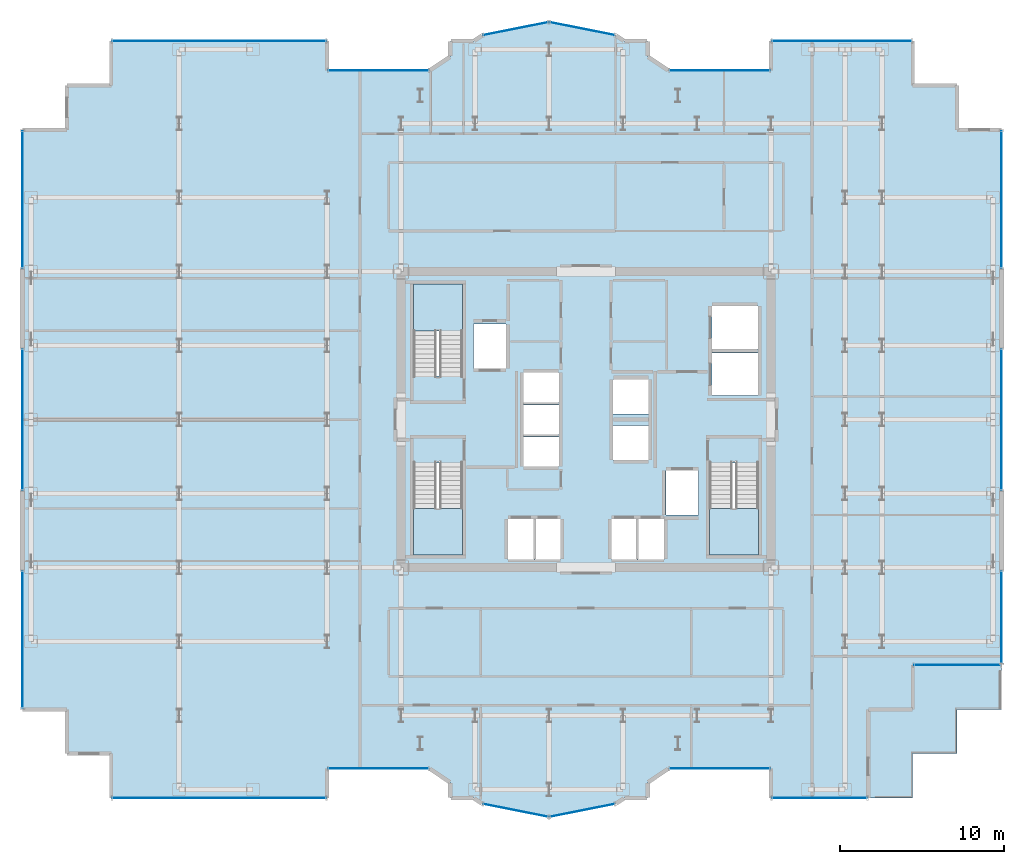
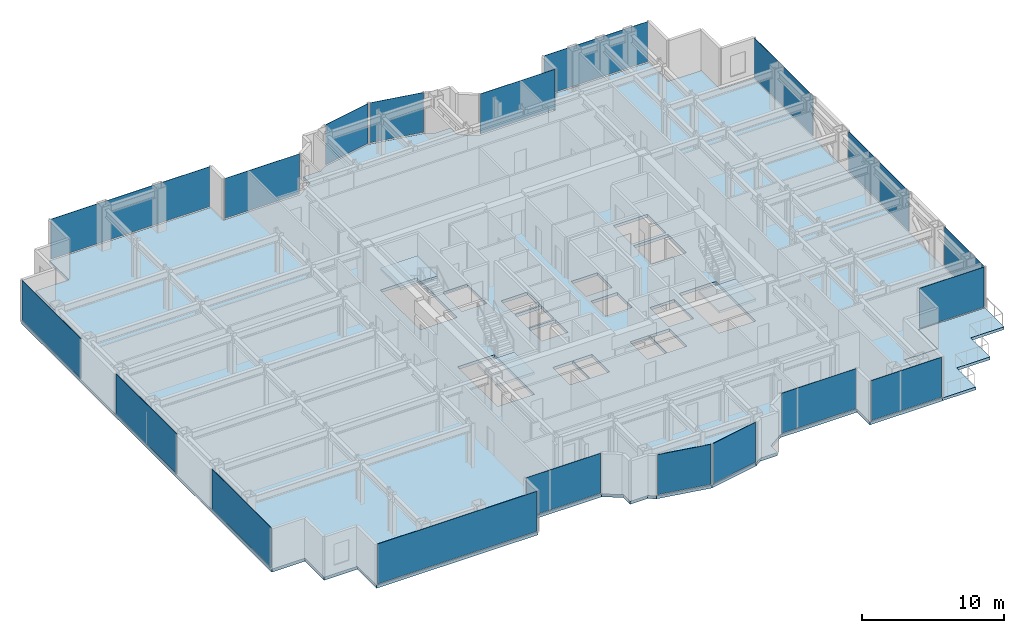
# One storey, part 19 of 27: 19 plates, 5 slabs, 22 elements without a shape of their own.
"""IFC4 building model written with IfcOpenShell, lengths in metres."""

from ifc_helpers import new_model, si_unit, direction, frame, origin, origin_2d, place, context, subcontext, project, spatial, polyline, rectangle, outline, extrude, source, transform, mapped, material, layer, layer_set, type_object, element, aggregate, save


model = new_model("IFC4")

# Units and contexts
model_context = context("Model", 3, precision=1e-05, world=origin(), true_north=direction((0.0, 1.0)))
body_context = subcontext(model_context, "Body", "Model", "MODEL_VIEW")
ifc_project = project(units=[si_unit("LENGTHUNIT", "METRE"), si_unit("AREAUNIT", "SQUARE_METRE"), si_unit("VOLUMEUNIT", "CUBIC_METRE"), si_unit("PLANEANGLEUNIT", "RADIAN"), si_unit("MASSUNIT", "GRAM", prefix="KILO")], contexts=[model_context])

# Site, building, storey
site_placement = place(None, origin())
site = spatial("IfcSite", under=ifc_project, at=site_placement, CompositionType="ELEMENT")
building_placement = place(site_placement, origin())
building = spatial("IfcBuilding", under=site, at=building_placement, Name="Nefas-Gora Pilgrimage Tower", CompositionType="ELEMENT")
storey_placement = place(building_placement, frame((0.0, 0.0, 183.0)))
storey = spatial("IfcBuildingStorey", under=building, at=storey_placement, Name="L45", CompositionType="ELEMENT", Elevation=183.0)

# Slabs
ifc_material_1 = material(Name="Concrete C40/50", Category="concrete")
ifc_layer_1 = layer(ifc_material_1, 0.239990234375)
ifc_layer_set_1 = layer_set([ifc_layer_1], Name="Concrete C40/50")
slab_type_1 = type_object("IfcSlabType", Name="SLB-TER-SP-SE", PredefinedType="FLOOR", material=ifc_layer_set_1)
slab_1_placement = place(storey_placement, frame((0.0, 0.0, -0.239990234375)))
element("IfcSlab", 1, at=slab_1_placement, inside=storey, type_object=slab_type_1, Name="L45 Outdoor Sky Terrace Slab TER-SP-SE", PredefinedType="FLOOR", context=body_context, shape_type="SweptSolid", body=[
    extrude(outline(polyline([(25.27001953125, -17.6201171875), (25.27001953125, -14.919921875), (19.8701171875, -14.919921875), (19.8701171875, -17.6201171875), (17.169921875, -17.6201171875), (17.169921875, -23.02001953125), (19.8701171875, -23.02001953125), (19.8701171875, -20.320068359375), (22.570068359375, -20.320068359375), (22.570068359375, -17.6201171875), (25.27001953125, -17.6201171875)])), origin(), (0.0, 0.0, 1.0), 0.239990234375),
])
ifc_layer_2 = layer(ifc_material_1, 0.25)
ifc_layer_set_2 = layer_set([ifc_layer_2], Name="Concrete C40/50")
slab_type_2 = type_object("IfcSlabType", Name="SLB-TWR-250", PredefinedType="FLOOR", material=ifc_layer_set_2)
slab_2_placement = place(storey_placement, frame((0.0, 0.0, -0.25)))
element("IfcSlab", 2, at=slab_2_placement, inside=storey, type_object=slab_type_2, Name="L45 Structural Floor Slab", PredefinedType="FLOOR", context=body_context, shape_type="SweptSolid", body=[
    extrude(outline(polyline([(5.01806640625, -21.219970703125), (11.25, -21.219970703125), (11.25, -23.02001953125), (17.169921875, -23.02001953125), (17.169921875, -17.6201171875), (19.8701171875, -17.6201171875), (19.8701171875, -14.919921875), (25.27001953125, -14.919921875), (25.27001953125, 17.6201171875), (22.570068359375, 17.6201171875), (22.570068359375, 20.320068359375), (19.8701171875, 20.320068359375), (19.8701171875, 23.02001953125), (11.25, 23.02001953125), (11.25, 21.219970703125), (5.01806640625, 21.219970703125), (3.75, 22.0673828125), (3.75, 23.02001953125), (2.32421875, 23.02001953125), (1.807373046875, 23.365234375), (-2.25, 24.17236328125), (-6.307373046875, 23.365234375), (-6.82421875, 23.02001953125), (-8.25, 23.02001953125), (-8.25, 22.0673828125), (-9.51806640625, 21.219970703125), (-15.75, 21.219970703125), (-15.75, 23.02001953125), (-28.8701171875, 23.02001953125), (-28.8701171875, 20.320068359375), (-31.570068359375, 20.320068359375), (-31.570068359375, 17.6201171875), (-34.27001953125, 17.6201171875), (-34.27001953125, -17.6201171875), (-31.570068359375, -17.6201171875), (-31.570068359375, -20.320068359375), (-28.8701171875, -20.320068359375), (-28.8701171875, -23.02001953125), (-15.75, -23.02001953125), (-15.75, -21.219970703125), (-9.51806640625, -21.219970703125), (-8.25, -22.0673828125), (-8.25, -23.02001953125), (-6.82421875, -23.02001953125), (-6.307373046875, -23.365234375), (-2.25, -24.17236328125), (1.807373046875, -23.365234375), (2.32421875, -23.02001953125), (3.75, -23.02001953125), (3.75, -22.0673828125), (5.01806640625, -21.219970703125)]), holes=[polyline([(-10.5, 2.639892578125), (-10.5, 8.25), (-7.5, 8.25), (-7.5, 2.639892578125), (-10.5, 2.639892578125)]), polyline([(10.5, -2.639892578125), (10.5, -8.25), (7.5, -8.25), (7.5, -2.639892578125), (10.5, -2.639892578125)]), polyline([(-7.5, -2.639892578125), (-7.5, -8.25), (-10.5, -8.25), (-10.5, -2.639892578125), (-7.5, -2.639892578125)]), polyline([(-6.85009765625, 5.800048828125), (-4.85009765625, 5.800048828125), (-4.85009765625, 3.10009765625), (-6.85009765625, 3.10009765625), (-6.85009765625, 5.800048828125)]), polyline([(4.85009765625, -3.10009765625), (6.85009765625, -3.10009765625), (6.85009765625, -5.800048828125), (4.85009765625, -5.800048828125), (4.85009765625, -3.10009765625)]), polyline([(7.64990234375, 4.050048828125), (10.449951171875, 4.050048828125), (10.449951171875, 1.449951171875), (7.64990234375, 1.449951171875), (7.64990234375, 4.050048828125)]), polyline([(7.64990234375, 6.89990234375), (10.449951171875, 6.89990234375), (10.449951171875, 4.300048828125), (7.64990234375, 4.300048828125), (7.64990234375, 6.89990234375)]), polyline([(-4.75, -6.050048828125), (-3.14990234375, -6.050048828125), (-3.14990234375, -8.5), (-4.75, -8.5), (-4.75, -6.050048828125)]), polyline([(-3.10009765625, -6.050048828125), (-1.550048828125, -6.050048828125), (-1.550048828125, -8.5), (-3.10009765625, -8.5), (-3.10009765625, -6.050048828125)]), polyline([(1.550048828125, -6.050048828125), (3.10009765625, -6.050048828125), (3.10009765625, -8.5), (1.550048828125, -8.5), (1.550048828125, -6.050048828125)]), polyline([(3.14990234375, -6.050048828125), (4.75, -6.050048828125), (4.75, -8.5), (3.14990234375, -8.5), (3.14990234375, -6.050048828125)]), polyline([(-3.800048828125, -1.050048828125), (-1.64990234375, -1.050048828125), (-1.64990234375, -2.85009765625), (-3.800048828125, -2.85009765625), (-3.800048828125, -1.050048828125)]), polyline([(-3.800048828125, 0.89990234375), (-1.64990234375, 0.89990234375), (-1.64990234375, -0.89990234375), (-3.800048828125, -0.89990234375), (-3.800048828125, 0.89990234375)]), polyline([(-3.800048828125, 2.85009765625), (-1.64990234375, 2.85009765625), (-1.64990234375, 1.050048828125), (-3.800048828125, 1.050048828125), (-3.800048828125, 2.85009765625)]), polyline([(1.64990234375, -0.35009765625), (3.800048828125, -0.35009765625), (3.800048828125, -2.449951171875), (1.64990234375, -2.449951171875), (1.64990234375, -0.35009765625)]), polyline([(1.64990234375, 2.449951171875), (3.800048828125, 2.449951171875), (3.800048828125, 0.35009765625), (1.64990234375, 0.35009765625), (1.64990234375, 2.449951171875)])]), origin(), (0.0, 0.0, 1.0), 0.25),
])

# Stair, slab
ifc_material_2 = material(Name="Concrete C45/55", Category="concrete")
stair_type = type_object("IfcStairType", Name="STR-1400-R1727", PredefinedType="HALF_TURN_STAIR", material=ifc_material_2)
stair_1_placement = place(storey_placement, origin())
stair_1 = element("IfcStair", 3, at=stair_1_placement, inside=storey, type_object=stair_type, Name="L45 Pressurised Tower Exit Stair ST-01", PredefinedType="HALF_TURN_STAIR")
ifc_layer_3 = layer(ifc_material_1, 0.199951171875)
ifc_layer_set_3 = layer_set([ifc_layer_3], Name="Concrete C40/50")
slab_type_3 = type_object("IfcSlabType", Name="STR-LAND-200", PredefinedType="LANDING", material=ifc_layer_set_3)
slab_3_placement = place(storey_placement, frame((0.0, 0.0, 1.699951171875)))
slab_3 = element("IfcSlab", 4, at=slab_3_placement, type_object=slab_type_3, Name="ST-01 landing 1", PredefinedType="LANDING", context=body_context, shape_type="SweptSolid", body=[
    extrude(outline(polyline([(-7.5, 5.39990234375), (-7.5, 8.25), (-10.5, 8.25), (-10.5, 5.39990234375), (-7.5, 5.39990234375)])), origin(), (0.0, 0.0, 1.0), 0.199951171875),
])
aggregate(stair_1, [slab_3])

stair_2_placement = place(storey_placement, origin())
stair_2 = element("IfcStair", 5, at=stair_2_placement, inside=storey, type_object=stair_type, Name="L45 Pressurised Tower Exit Stair ST-02", PredefinedType="HALF_TURN_STAIR")
slab_4_placement = place(storey_placement, frame((0.0, 0.0, 1.699951171875)))
slab_4 = element("IfcSlab", 6, at=slab_4_placement, type_object=slab_type_3, Name="ST-02 landing 1", PredefinedType="LANDING", context=body_context, shape_type="SweptSolid", body=[
    extrude(outline(polyline([(7.5, -5.39990234375), (7.5, -8.25), (10.5, -8.25), (10.5, -5.39990234375), (7.5, -5.39990234375)])), origin(), (0.0, 0.0, 1.0), 0.199951171875),
])
aggregate(stair_2, [slab_4])

stair_3_placement = place(storey_placement, origin())
stair_3 = element("IfcStair", 7, at=stair_3_placement, inside=storey, type_object=stair_type, Name="L45 Pressurised Tower Exit Stair ST-03", PredefinedType="HALF_TURN_STAIR")
slab_5_placement = place(storey_placement, frame((0.0, 0.0, 1.699951171875)))
slab_5 = element("IfcSlab", 8, at=slab_5_placement, type_object=slab_type_3, Name="ST-03 landing 1", PredefinedType="LANDING", context=body_context, shape_type="SweptSolid", body=[
    extrude(outline(polyline([(-10.5, -5.39990234375), (-10.5, -8.25), (-7.5, -8.25), (-7.5, -5.39990234375), (-10.5, -5.39990234375)])), origin(), (0.0, 0.0, 1.0), 0.199951171875),
])
aggregate(stair_3, [slab_5])

# Curtain wall, plate
ifc_material_3 = material(Name="Dark ceramic-fritted solar-control aluminium-glass curtain wall", Category="aluminium")
ifc_layer_4 = layer(ifc_material_3, 0.219970703125)
ifc_layer_set_4 = layer_set([ifc_layer_4], Name="Dark ceramic-fritted solar-control aluminium-glass curtain wall")
curtain_wall_type_1 = type_object("IfcCurtainWallType", Name="CW-SYS-5", PredefinedType="NOTDEFINED", material=ifc_layer_set_4)
curtain_wall_1_placement = place(storey_placement, origin())
curtain_wall_1 = element("IfcCurtainWall", 9, at=curtain_wall_1_placement, inside=storey, type_object=curtain_wall_type_1, Name="L45 Unitised Curtain Wall CW5", PredefinedType="NOTDEFINED")
ifc_material_4 = material(Name="Dark ceramic-printed low-e insulated glass", Category="glass")
ifc_layer_5 = layer(ifc_material_4, 0.028076171875)
ifc_layer_set_5 = layer_set([ifc_layer_5], Name="Dark ceramic-printed low-e insulated glass")
plate_type_1 = type_object("IfcPlateType", Name="CWP-PNL-5", PredefinedType="CURTAIN_PANEL", material=ifc_layer_set_5)
shared_shape_1 = source(origin(), body_context, "Body", "SweptSolid", [
    extrude(rectangle(XDim=6.052001953125, YDim=0.028076171875, at=origin_2d()), origin(), (0.0, 0.0, 1.0), 3.43994140625),
])
plate_1_placement = place(storey_placement, frame((8.134033203125, -21.219970703125, 0.10009765625), z_axis=(0.0, 0.0, 1.0), x_axis=(1.0, 0.0, 0.0)))
plate_1 = element("IfcPlate", 10, at=plate_1_placement, type_object=plate_type_1, Name="CW5 Ceramic-Fritted Glazing Panel 1", PredefinedType="CURTAIN_PANEL", context=body_context, shape_type="MappedRepresentation", body=[
    mapped(shared_shape_1, transform((0.0, 0.0, 0.0), x_axis=(1.0, 0.0, 0.0), y_axis=(0.0, 1.0, 0.0), z_axis=(0.0, 0.0, 1.0), scale=1.0)),
])
aggregate(curtain_wall_1, [plate_1])

curtain_wall_2_placement = place(storey_placement, origin())
curtain_wall_2 = element("IfcCurtainWall", 11, at=curtain_wall_2_placement, inside=storey, type_object=curtain_wall_type_1, Name="L45 Unitised Curtain Wall CW5", PredefinedType="NOTDEFINED")
plate_2_placement = place(storey_placement, frame((8.134033203125, 21.219970703125, 0.10009765625), z_axis=(0.0, 0.0, 1.0), x_axis=(-1.0, 0.0, 0.0)))
plate_2 = element("IfcPlate", 12, at=plate_2_placement, type_object=plate_type_1, Name="CW5 Ceramic-Fritted Glazing Panel 1", PredefinedType="CURTAIN_PANEL", context=body_context, shape_type="MappedRepresentation", body=[
    mapped(shared_shape_1, transform((0.0, 0.0, 0.0), x_axis=(1.0, 0.0, 0.0), y_axis=(0.0, 1.0, 0.0), z_axis=(0.0, 0.0, 1.0), scale=1.0)),
])
aggregate(curtain_wall_2, [plate_2])

curtain_wall_3_placement = place(storey_placement, origin())
curtain_wall_3 = element("IfcCurtainWall", 13, at=curtain_wall_3_placement, inside=storey, type_object=curtain_wall_type_1, Name="L45 Unitised Curtain Wall CW5", PredefinedType="NOTDEFINED")
plate_3_placement = place(storey_placement, frame((-12.634033203125, 21.219970703125, 0.10009765625), z_axis=(0.0, 0.0, 1.0), x_axis=(-1.0, 0.0, 0.0)))
plate_3 = element("IfcPlate", 14, at=plate_3_placement, type_object=plate_type_1, Name="CW5 Ceramic-Fritted Glazing Panel 1", PredefinedType="CURTAIN_PANEL", context=body_context, shape_type="MappedRepresentation", body=[
    mapped(shared_shape_1, transform((0.0, 0.0, 0.0), x_axis=(1.0, 0.0, 0.0), y_axis=(0.0, 1.0, 0.0), z_axis=(0.0, 0.0, 1.0), scale=1.0)),
])
aggregate(curtain_wall_3, [plate_3])

curtain_wall_4_placement = place(storey_placement, origin())
curtain_wall_4 = element("IfcCurtainWall", 15, at=curtain_wall_4_placement, inside=storey, type_object=curtain_wall_type_1, Name="L45 Unitised Curtain Wall CW5", PredefinedType="NOTDEFINED")
plate_4_placement = place(storey_placement, frame((-12.634033203125, -21.219970703125, 0.10009765625), z_axis=(0.0, 0.0, 1.0), x_axis=(1.0, 0.0, 0.0)))
plate_4 = element("IfcPlate", 16, at=plate_4_placement, type_object=plate_type_1, Name="CW5 Ceramic-Fritted Glazing Panel 1", PredefinedType="CURTAIN_PANEL", context=body_context, shape_type="MappedRepresentation", body=[
    mapped(shared_shape_1, transform((0.0, 0.0, 0.0), x_axis=(1.0, 0.0, 0.0), y_axis=(0.0, 1.0, 0.0), z_axis=(0.0, 0.0, 1.0), scale=1.0)),
])
aggregate(curtain_wall_4, [plate_4])

curtain_wall_5_placement = place(storey_placement, origin())
curtain_wall_5 = element("IfcCurtainWall", 17, at=curtain_wall_5_placement, inside=storey, type_object=curtain_wall_type_1, Name="L45 Unitised Curtain Wall CW5", PredefinedType="NOTDEFINED")
shared_shape_2 = source(origin(), body_context, "Body", "SweptSolid", [
    extrude(rectangle(XDim=3.956787109375, YDim=0.028076171875, at=origin_2d()), origin(), (0.0, 0.0, 1.0), 3.43994140625),
])
plate_5_placement = place(storey_placement, frame((-0.22119140625, 23.768798828125, 0.10009765625), z_axis=(0.0, 0.0, 1.0), x_axis=(-0.980782896852, 0.195102304554, 0.0)))
plate_5 = element("IfcPlate", 18, at=plate_5_placement, type_object=plate_type_1, Name="CW5 Ceramic-Fritted Glazing Panel 1", PredefinedType="CURTAIN_PANEL", context=body_context, shape_type="MappedRepresentation", body=[
    mapped(shared_shape_2, transform((0.0, 0.0, 0.0), x_axis=(1.0, 0.0, 0.0), y_axis=(0.0, 1.0, 0.0), z_axis=(0.0, 0.0, 1.0), scale=1.0)),
])
aggregate(curtain_wall_5, [plate_5])

curtain_wall_6_placement = place(storey_placement, origin())
curtain_wall_6 = element("IfcCurtainWall", 19, at=curtain_wall_6_placement, inside=storey, type_object=curtain_wall_type_1, Name="L45 Unitised Curtain Wall CW5", PredefinedType="NOTDEFINED")
plate_6_placement = place(storey_placement, frame((-4.278564453125, 23.768798828125, 0.10009765625), z_axis=(0.0, 0.0, 1.0), x_axis=(-0.980782896852, -0.195102304554, 0.0)))
plate_6 = element("IfcPlate", 20, at=plate_6_placement, type_object=plate_type_1, Name="CW5 Ceramic-Fritted Glazing Panel 1", PredefinedType="CURTAIN_PANEL", context=body_context, shape_type="MappedRepresentation", body=[
    mapped(shared_shape_2, transform((0.0, 0.0, 0.0), x_axis=(1.0, 0.0, 0.0), y_axis=(0.0, 1.0, 0.0), z_axis=(0.0, 0.0, 1.0), scale=1.0)),
])
aggregate(curtain_wall_6, [plate_6])

curtain_wall_7_placement = place(storey_placement, origin())
curtain_wall_7 = element("IfcCurtainWall", 21, at=curtain_wall_7_placement, inside=storey, type_object=curtain_wall_type_1, Name="L45 Unitised Curtain Wall CW5", PredefinedType="NOTDEFINED")
plate_7_placement = place(storey_placement, frame((-4.278564453125, -23.768798828125, 0.10009765625), z_axis=(0.0, 0.0, 1.0), x_axis=(0.980782896852, -0.195102304554, 0.0)))
plate_7 = element("IfcPlate", 22, at=plate_7_placement, type_object=plate_type_1, Name="CW5 Ceramic-Fritted Glazing Panel 1", PredefinedType="CURTAIN_PANEL", context=body_context, shape_type="MappedRepresentation", body=[
    mapped(shared_shape_2, transform((0.0, 0.0, 0.0), x_axis=(1.0, 0.0, 0.0), y_axis=(0.0, 1.0, 0.0), z_axis=(0.0, 0.0, 1.0), scale=1.0)),
])
aggregate(curtain_wall_7, [plate_7])

curtain_wall_8_placement = place(storey_placement, origin())
curtain_wall_8 = element("IfcCurtainWall", 23, at=curtain_wall_8_placement, inside=storey, type_object=curtain_wall_type_1, Name="L45 Unitised Curtain Wall CW5", PredefinedType="NOTDEFINED")
plate_8_placement = place(storey_placement, frame((-0.221435546875, -23.768798828125, 0.10009765625), z_axis=(0.0, 0.0, 1.0), x_axis=(0.980782896852, 0.195102304554, 0.0)))
plate_8 = element("IfcPlate", 24, at=plate_8_placement, type_object=plate_type_1, Name="CW5 Ceramic-Fritted Glazing Panel 1", PredefinedType="CURTAIN_PANEL", context=body_context, shape_type="MappedRepresentation", body=[
    mapped(shared_shape_2, transform((0.0, 0.0, 0.0), x_axis=(1.0, 0.0, 0.0), y_axis=(0.0, 1.0, 0.0), z_axis=(0.0, 0.0, 1.0), scale=1.0)),
])
aggregate(curtain_wall_8, [plate_8])

ifc_layer_6 = layer(ifc_material_3, 0.219970703125)
ifc_layer_set_6 = layer_set([ifc_layer_6], Name="Dark ceramic-fritted solar-control aluminium-glass curtain wall")
curtain_wall_type_2 = type_object("IfcCurtainWallType", Name="CW-SYS-3", PredefinedType="NOTDEFINED", material=ifc_layer_set_6)
curtain_wall_9_placement = place(storey_placement, origin())
curtain_wall_9 = element("IfcCurtainWall", 25, at=curtain_wall_9_placement, inside=storey, type_object=curtain_wall_type_2, Name="L45 Unitised Curtain Wall CW3", PredefinedType="NOTDEFINED")
ifc_layer_7 = layer(ifc_material_4, 0.033935546875)
ifc_layer_set_7 = layer_set([ifc_layer_7], Name="Dark ceramic-printed low-e insulated glass")
plate_type_2 = type_object("IfcPlateType", Name="CWP-PNL-3", PredefinedType="CURTAIN_PANEL", material=ifc_layer_set_7)
shared_shape_3 = source(origin(), body_context, "Body", "SweptSolid", [
    extrude(rectangle(XDim=8.43994140625, YDim=0.033935546875, at=origin_2d()), origin(), (0.0, 0.0, 1.0), 3.43994140625),
])
plate_9_placement = place(storey_placement, frame((15.56005859375, 23.02001953125, 0.10009765625), z_axis=(0.0, 0.0, 1.0), x_axis=(-1.0, 0.0, 0.0)))
plate_9 = element("IfcPlate", 26, at=plate_9_placement, type_object=plate_type_2, Name="CW3 Ceramic-Fritted Glazing Panel 1", PredefinedType="CURTAIN_PANEL", context=body_context, shape_type="MappedRepresentation", body=[
    mapped(shared_shape_3, transform((0.0, 0.0, 0.0), x_axis=(1.0, 0.0, 0.0), y_axis=(0.0, 1.0, 0.0), z_axis=(0.0, 0.0, 1.0), scale=1.0)),
])
aggregate(curtain_wall_9, [plate_9])

curtain_wall_10_placement = place(storey_placement, origin())
curtain_wall_10 = element("IfcCurtainWall", 27, at=curtain_wall_10_placement, inside=storey, type_object=curtain_wall_type_2, Name="L45 Unitised Curtain Wall CW3", PredefinedType="NOTDEFINED")
shared_shape_4 = source(origin(), body_context, "Body", "SweptSolid", [
    extrude(rectangle(XDim=8.2900390625, YDim=0.033935546875, at=origin_2d()), origin(), (0.0, 0.0, 1.0), 3.43994140625),
])
plate_10_placement = place(storey_placement, frame((25.27001953125, 13.385009765625, 0.10009765625), z_axis=(0.0, 0.0, 1.0), x_axis=(0.0, 1.0, 0.0)))
plate_10 = element("IfcPlate", 28, at=plate_10_placement, type_object=plate_type_2, Name="CW3 Ceramic-Fritted Glazing Panel 1", PredefinedType="CURTAIN_PANEL", context=body_context, shape_type="MappedRepresentation", body=[
    mapped(shared_shape_4, transform((0.0, 0.0, 0.0), x_axis=(1.0, 0.0, 0.0), y_axis=(0.0, 1.0, 0.0), z_axis=(0.0, 0.0, 1.0), scale=1.0)),
])
aggregate(curtain_wall_10, [plate_10])

curtain_wall_11_placement = place(storey_placement, origin())
curtain_wall_11 = element("IfcCurtainWall", 29, at=curtain_wall_11_placement, inside=storey, type_object=curtain_wall_type_2, Name="L45 Unitised Curtain Wall CW3", PredefinedType="NOTDEFINED")
plate_11_placement = place(storey_placement, frame((-34.27001953125, 13.385009765625, 0.10009765625), z_axis=(0.0, 0.0, 1.0), x_axis=(0.0, -1.0, 0.0)))
plate_11 = element("IfcPlate", 30, at=plate_11_placement, type_object=plate_type_2, Name="CW3 Ceramic-Fritted Glazing Panel 1", PredefinedType="CURTAIN_PANEL", context=body_context, shape_type="MappedRepresentation", body=[
    mapped(shared_shape_4, transform((0.0, 0.0, 0.0), x_axis=(1.0, 0.0, 0.0), y_axis=(0.0, 1.0, 0.0), z_axis=(0.0, 0.0, 1.0), scale=1.0)),
])
aggregate(curtain_wall_11, [plate_11])

curtain_wall_12_placement = place(storey_placement, origin())
curtain_wall_12 = element("IfcCurtainWall", 31, at=curtain_wall_12_placement, inside=storey, type_object=curtain_wall_type_2, Name="L45 Unitised Curtain Wall CW3", PredefinedType="NOTDEFINED")
plate_12_placement = place(storey_placement, frame((-34.27001953125, -13.385009765625, 0.10009765625), z_axis=(0.0, 0.0, 1.0), x_axis=(0.0, -1.0, 0.0)))
plate_12 = element("IfcPlate", 32, at=plate_12_placement, type_object=plate_type_2, Name="CW3 Ceramic-Fritted Glazing Panel 1", PredefinedType="CURTAIN_PANEL", context=body_context, shape_type="MappedRepresentation", body=[
    mapped(shared_shape_4, transform((0.0, 0.0, 0.0), x_axis=(1.0, 0.0, 0.0), y_axis=(0.0, 1.0, 0.0), z_axis=(0.0, 0.0, 1.0), scale=1.0)),
])
aggregate(curtain_wall_12, [plate_12])

curtain_wall_13_placement = place(storey_placement, origin())
curtain_wall_13 = element("IfcCurtainWall", 33, at=curtain_wall_13_placement, inside=storey, type_object=curtain_wall_type_2, Name="L45 Unitised Curtain Wall CW3", PredefinedType="NOTDEFINED")
shared_shape_5 = source(origin(), body_context, "Body", "SweptSolid", [
    extrude(rectangle(XDim=8.52001953125, YDim=0.033935546875, at=origin_2d()), origin(), (0.0, 0.0, 1.0), 3.43994140625),
])
plate_13_placement = place(storey_placement, frame((25.27001953125, 0.0, 0.10009765625), z_axis=(0.0, 0.0, 1.0), x_axis=(0.0, 1.0, 0.0)))
plate_13 = element("IfcPlate", 34, at=plate_13_placement, type_object=plate_type_2, Name="CW3 Ceramic-Fritted Glazing Panel 1", PredefinedType="CURTAIN_PANEL", context=body_context, shape_type="MappedRepresentation", body=[
    mapped(shared_shape_5, transform((0.0, 0.0, 0.0), x_axis=(1.0, 0.0, 0.0), y_axis=(0.0, 1.0, 0.0), z_axis=(0.0, 0.0, 1.0), scale=1.0)),
])
aggregate(curtain_wall_13, [plate_13])

curtain_wall_14_placement = place(storey_placement, origin())
curtain_wall_14 = element("IfcCurtainWall", 35, at=curtain_wall_14_placement, inside=storey, type_object=curtain_wall_type_2, Name="L45 Unitised Curtain Wall CW3", PredefinedType="NOTDEFINED")
plate_14_placement = place(storey_placement, frame((-34.27001953125, 0.0, 0.10009765625), z_axis=(0.0, 0.0, 1.0), x_axis=(0.0, -1.0, 0.0)))
plate_14 = element("IfcPlate", 36, at=plate_14_placement, type_object=plate_type_2, Name="CW3 Ceramic-Fritted Glazing Panel 1", PredefinedType="CURTAIN_PANEL", context=body_context, shape_type="MappedRepresentation", body=[
    mapped(shared_shape_5, transform((0.0, 0.0, 0.0), x_axis=(1.0, 0.0, 0.0), y_axis=(0.0, 1.0, 0.0), z_axis=(0.0, 0.0, 1.0), scale=1.0)),
])
aggregate(curtain_wall_14, [plate_14])

curtain_wall_15_placement = place(storey_placement, origin())
curtain_wall_15 = element("IfcCurtainWall", 37, at=curtain_wall_15_placement, inside=storey, type_object=curtain_wall_type_2, Name="L45 Unitised Curtain Wall CW3", PredefinedType="NOTDEFINED")
shared_shape_6 = source(origin(), body_context, "Body", "SweptSolid", [
    extrude(rectangle(XDim=12.93994140625, YDim=0.033935546875, at=origin_2d()), origin(), (0.0, 0.0, 1.0), 3.43994140625),
])
plate_15_placement = place(storey_placement, frame((-22.31005859375, 23.02001953125, 0.10009765625), z_axis=(0.0, 0.0, 1.0), x_axis=(-1.0, 0.0, 0.0)))
plate_15 = element("IfcPlate", 38, at=plate_15_placement, type_object=plate_type_2, Name="CW3 Ceramic-Fritted Glazing Panel 1", PredefinedType="CURTAIN_PANEL", context=body_context, shape_type="MappedRepresentation", body=[
    mapped(shared_shape_6, transform((0.0, 0.0, 0.0), x_axis=(1.0, 0.0, 0.0), y_axis=(0.0, 1.0, 0.0), z_axis=(0.0, 0.0, 1.0), scale=1.0)),
])
aggregate(curtain_wall_15, [plate_15])

curtain_wall_16_placement = place(storey_placement, origin())
curtain_wall_16 = element("IfcCurtainWall", 39, at=curtain_wall_16_placement, inside=storey, type_object=curtain_wall_type_2, Name="L45 Unitised Curtain Wall CW3", PredefinedType="NOTDEFINED")
plate_16_placement = place(storey_placement, frame((-22.31005859375, -23.02001953125, 0.10009765625), z_axis=(0.0, 0.0, 1.0), x_axis=(1.0, 0.0, 0.0)))
plate_16 = element("IfcPlate", 40, at=plate_16_placement, type_object=plate_type_2, Name="CW3 Ceramic-Fritted Glazing Panel 1", PredefinedType="CURTAIN_PANEL", context=body_context, shape_type="MappedRepresentation", body=[
    mapped(shared_shape_6, transform((0.0, 0.0, 0.0), x_axis=(1.0, 0.0, 0.0), y_axis=(0.0, 1.0, 0.0), z_axis=(0.0, 0.0, 1.0), scale=1.0)),
])
aggregate(curtain_wall_16, [plate_16])

curtain_wall_17_placement = place(storey_placement, origin())
curtain_wall_17 = element("IfcCurtainWall", 41, at=curtain_wall_17_placement, inside=storey, type_object=curtain_wall_type_2, Name="L45 Unitised Curtain Wall CW3", PredefinedType="NOTDEFINED")
shared_shape_7 = source(origin(), body_context, "Body", "SweptSolid", [
    extrude(rectangle(XDim=5.219970703125, YDim=0.033935546875, at=origin_2d()), origin(), (0.0, 0.0, 1.0), 3.43994140625),
])
plate_17_placement = place(storey_placement, frame((22.570068359375, -14.919921875, 0.10009765625), z_axis=(0.0, 0.0, 1.0), x_axis=(1.0, 0.0, 0.0)))
plate_17 = element("IfcPlate", 42, at=plate_17_placement, type_object=plate_type_2, Name="CW3 Ceramic-Fritted Glazing Panel 1", PredefinedType="CURTAIN_PANEL", context=body_context, shape_type="MappedRepresentation", body=[
    mapped(shared_shape_7, transform((0.0, 0.0, 0.0), x_axis=(1.0, 0.0, 0.0), y_axis=(0.0, 1.0, 0.0), z_axis=(0.0, 0.0, 1.0), scale=1.0)),
])
aggregate(curtain_wall_17, [plate_17])

curtain_wall_18_placement = place(storey_placement, origin())
curtain_wall_18 = element("IfcCurtainWall", 43, at=curtain_wall_18_placement, inside=storey, type_object=curtain_wall_type_2, Name="L45 Unitised Curtain Wall CW3", PredefinedType="NOTDEFINED")
shared_shape_8 = source(origin(), body_context, "Body", "SweptSolid", [
    extrude(rectangle(XDim=5.739990234375, YDim=0.033935546875, at=origin_2d()), origin(), (0.0, 0.0, 1.0), 3.43994140625),
])
plate_18_placement = place(storey_placement, frame((14.2099609375, -23.02001953125, 0.10009765625), z_axis=(0.0, 0.0, 1.0), x_axis=(1.0, 0.0, 0.0)))
plate_18 = element("IfcPlate", 44, at=plate_18_placement, type_object=plate_type_2, Name="CW3 Ceramic-Fritted Glazing Panel 1", PredefinedType="CURTAIN_PANEL", context=body_context, shape_type="MappedRepresentation", body=[
    mapped(shared_shape_8, transform((0.0, 0.0, 0.0), x_axis=(1.0, 0.0, 0.0), y_axis=(0.0, 1.0, 0.0), z_axis=(0.0, 0.0, 1.0), scale=1.0)),
])
aggregate(curtain_wall_18, [plate_18])

curtain_wall_19_placement = place(storey_placement, origin())
curtain_wall_19 = element("IfcCurtainWall", 45, at=curtain_wall_19_placement, inside=storey, type_object=curtain_wall_type_2, Name="L45 Unitised Curtain Wall CW3", PredefinedType="NOTDEFINED")
shared_shape_9 = source(origin(), body_context, "Body", "SweptSolid", [
    extrude(rectangle(XDim=5.590087890625, YDim=0.033935546875, at=origin_2d()), origin(), (0.0, 0.0, 1.0), 3.43994140625),
])
plate_19_placement = place(storey_placement, frame((25.27001953125, -12.034912109375, 0.10009765625), z_axis=(0.0, 0.0, 1.0), x_axis=(0.0, 1.0, 0.0)))
plate_19 = element("IfcPlate", 46, at=plate_19_placement, type_object=plate_type_2, Name="CW3 Ceramic-Fritted Glazing Panel 1", PredefinedType="CURTAIN_PANEL", context=body_context, shape_type="MappedRepresentation", body=[
    mapped(shared_shape_9, transform((0.0, 0.0, 0.0), x_axis=(1.0, 0.0, 0.0), y_axis=(0.0, 1.0, 0.0), z_axis=(0.0, 0.0, 1.0), scale=1.0)),
])
aggregate(curtain_wall_19, [plate_19])

save(model, "model.ifc")
